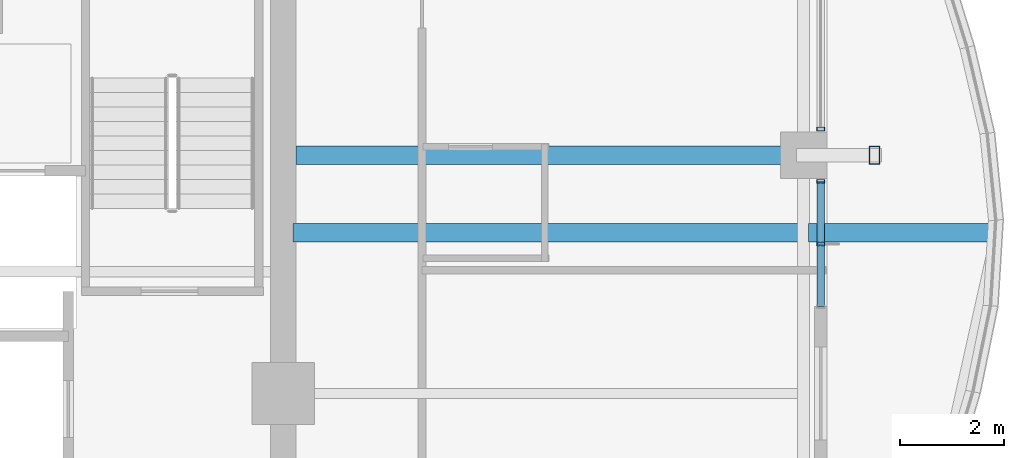
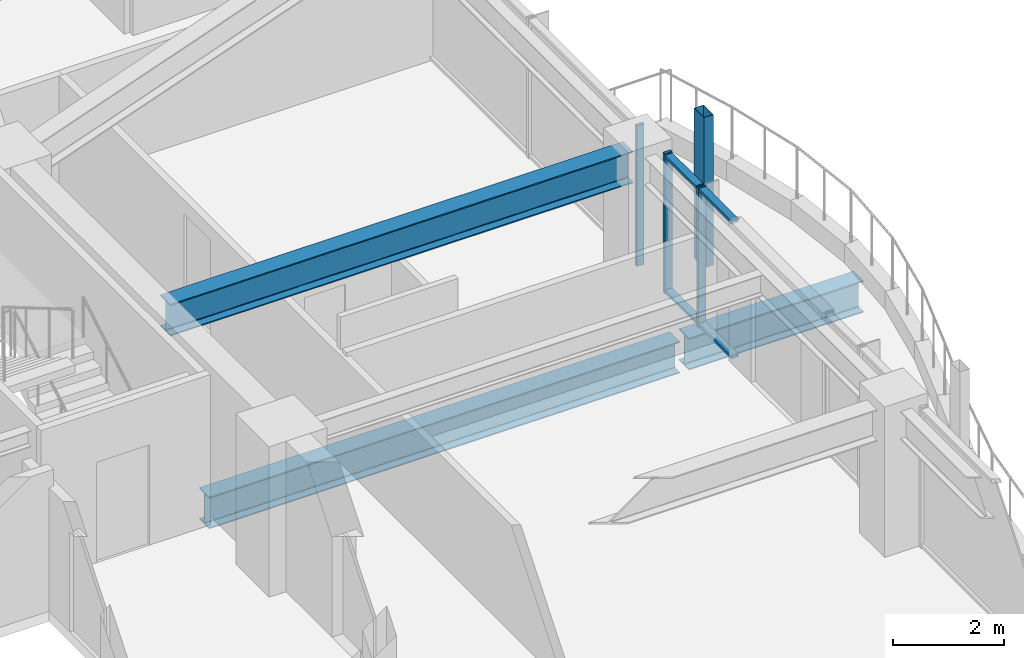
# One storey, part 15 of 35: 6 members, 3 beams, 2 elements without a shape of their own.
"""IFC4 building model written with IfcOpenShell, lengths in metres."""

from ifc_helpers import new_model, si_unit, direction, frame, origin, origin_2d, place, context, subcontext, project, spatial, hollow_rectangle, i_section, extrude, material, material_profile, profile_set, type_object, element, aggregate, save


model = new_model("IFC4")

# Units and contexts
model_context = context("Model", 3, precision=1e-05, world=origin(), true_north=direction((0.0, 1.0)))
body_context = subcontext(model_context, "Body", "Model", "MODEL_VIEW")
ifc_project = project(units=[si_unit("LENGTHUNIT", "METRE"), si_unit("AREAUNIT", "SQUARE_METRE"), si_unit("VOLUMEUNIT", "CUBIC_METRE"), si_unit("PLANEANGLEUNIT", "RADIAN"), si_unit("MASSUNIT", "GRAM", prefix="KILO")], contexts=[model_context])

# Site, building, storey
site_placement = place(None, origin())
site = spatial("IfcSite", under=ifc_project, at=site_placement, CompositionType="ELEMENT")
building_placement = place(site_placement, origin())
building = spatial("IfcBuilding", under=site, at=building_placement, Name="Kolvaren Belvedere", CompositionType="ELEMENT")
storey_placement = place(building_placement, frame((0.0, 0.0, 176.699951171875)))
storey = spatial("IfcBuildingStorey", under=building, at=storey_placement, Name="L51", CompositionType="ELEMENT", Elevation=176.699951171875)

# Beams
ifc_material_1 = material(Name="Structural steel ASTM A992 Grade 50", Category="steel")
ifc_material_profile_1 = material_profile(ifc_material_1, i_section(OverallWidth=0.35498046875, OverallDepth=0.696044921875, WebThickness=0.015380859375, FlangeThickness=0.02490234375, FilletRadius=0.02197265625, at=origin_2d()), Name="W27X146")
ifc_profile_set_1 = profile_set([ifc_material_profile_1], Name="Structural steel ASTM A992 Grade 50")
beam_type_1 = type_object("IfcBeamType", Name="BM-CANT-BAL", PredefinedType="BEAM", material=ifc_profile_set_1)
beam_1_placement = place(storey_placement, frame((20.044921875, 3.10009765625, -0.56787109375), z_axis=(1.0, 0.0, 0.0), x_axis=(0.0, 1.0, 0.0)))
element("IfcBeam", 1, at=beam_1_placement, inside=storey, type_object=beam_type_1, Name="L51 Planted Balcony Cantilever BAL-E-2", PredefinedType="BEAM", context=body_context, shape_type="SweptSolid", body=[
    extrude(i_section(OverallWidth=0.35498046875, OverallDepth=0.696044921875, WebThickness=0.015380859375, FlangeThickness=0.02490234375, FilletRadius=0.02197265625, at=origin_2d()), origin(), (0.0, 0.0, 1.0), 3.619140625),
])
ifc_material_2 = material(Name="Structural steel ASTM A992 Grade 50", Category="steel")
ifc_material_profile_2 = material_profile(ifc_material_2, i_section(OverallWidth=0.35498046875, OverallDepth=0.696044921875, WebThickness=0.015380859375, FlangeThickness=0.02490234375, FilletRadius=0.02197265625, at=origin_2d()), Name="W27X146")
ifc_profile_set_2 = profile_set([ifc_material_profile_2], Name="Structural steel ASTM A992 Grade 50")
beam_type_2 = type_object("IfcBeamType", Name="BM-GIRD-W27X146", PredefinedType="BEAM", material=ifc_profile_set_2)
beam_2_placement = place(storey_placement, frame((10.090087890625, 3.10009765625, -0.56787109375), z_axis=(1.0, 0.0, 0.0), x_axis=(0.0, 1.0, 0.0)))
element("IfcBeam", 2, at=beam_2_placement, inside=storey, type_object=beam_type_2, Name="L51 Balcony Interior Back-Span Girder BAL-E-2", PredefinedType="BEAM", context=body_context, shape_type="SweptSolid", body=[
    extrude(i_section(OverallWidth=0.35498046875, OverallDepth=0.696044921875, WebThickness=0.015380859375, FlangeThickness=0.02490234375, FilletRadius=0.02197265625, at=origin_2d()), origin(), (0.0, 0.0, 1.0), 9.764892578125),
])
beam_3_placement = place(storey_placement, frame((10.14990234375, 4.60009765625, 2.73193359375), z_axis=(1.0, 0.0, 0.0), x_axis=(0.0, 1.0, 0.0)))
element("IfcBeam", 3, at=beam_3_placement, inside=storey, type_object=beam_type_2, Name="L51 East Radial Girder P", PredefinedType="BEAM", context=body_context, shape_type="SweptSolid", body=[
    extrude(i_section(OverallWidth=0.35498046875, OverallDepth=0.696044921875, WebThickness=0.015380859375, FlangeThickness=0.02490234375, FilletRadius=0.02197265625, at=origin_2d()), origin(), (0.0, 0.0, 1.0), 9.59765625),
])

# Curtain wall, member
ifc_material_3 = material(Name="Anodised pale-metal aluminium AA 6063-T6", Category="aluminium")
curtain_wall_type = type_object("IfcCurtainWallType", Name="CW-Z5-HIGH", PredefinedType="NOTDEFINED", material=ifc_material_3)
curtain_wall_1_placement = place(storey_placement, origin())
curtain_wall_1 = element("IfcCurtainWall", 4, at=curtain_wall_1_placement, inside=storey, type_object=curtain_wall_type, Name="L51 Unitised Curtain Wall FCW-L51-E1-B1", PredefinedType="NOTDEFINED")
ifc_material_4 = material(Name="Anodised pale-metal aluminium AA 6063-T6", Category="aluminium")
ifc_material_profile_3 = material_profile(ifc_material_4, hollow_rectangle(XDim=0.070068359375, YDim=0.14990234375, WallThickness=0.004150390625, at=origin_2d()), Name="ALU-MUL-150X70")
ifc_profile_set_3 = profile_set([ifc_material_profile_3], Name="Anodised pale-metal aluminium AA 6063-T6")
member_type_1 = type_object("IfcMemberType", Name="CW-MUL-150", PredefinedType="MULLION", material=ifc_profile_set_3)
member_1_placement = place(storey_placement, frame((20.280029296875, 5.10498046875, 0.0), z_axis=(0.0, 0.0, 1.0), x_axis=(0.0, 1.0, 0.0)))
member_1 = element("IfcMember", 5, at=member_1_placement, type_object=member_type_1, Name="FCW-L51-E1-B1 Unitised Mullion 3", PredefinedType="MULLION", context=body_context, shape_type="SweptSolid", body=[
    extrude(hollow_rectangle(XDim=0.070068359375, YDim=0.14990234375, WallThickness=0.004150390625, at=origin_2d()), origin(), (0.0, 0.0, 1.0), 3.080078125),
])
aggregate(curtain_wall_1, [member_1])

# Curtain wall, members
curtain_wall_2_placement = place(storey_placement, origin())
curtain_wall_2 = element("IfcCurtainWall", 6, at=curtain_wall_2_placement, inside=storey, type_object=curtain_wall_type, Name="L51 Unitised Curtain Wall FCW-L51-E1-B2", PredefinedType="NOTDEFINED")
member_2_placement = place(storey_placement, frame((20.280029296875, 4.094970703125, 0.0), z_axis=(0.0, 0.0, 1.0), x_axis=(0.0, 1.0, 0.0)))
member_2 = element("IfcMember", 7, at=member_2_placement, type_object=member_type_1, Name="FCW-L51-E1-B2 Unitised Mullion 1", PredefinedType="MULLION", context=body_context, shape_type="SweptSolid", body=[
    extrude(hollow_rectangle(XDim=0.070068359375, YDim=0.14990234375, WallThickness=0.004150390625, at=origin_2d()), origin(), (0.0, 0.0, 1.0), 3.080078125),
])
member_3_placement = place(storey_placement, frame((20.280029296875, 2.887451171875, 0.0), z_axis=(0.0, 0.0, 1.0), x_axis=(0.0, 1.0, 0.0)))
member_3 = element("IfcMember", 8, at=member_3_placement, type_object=member_type_1, Name="FCW-L51-E1-B2 Unitised Mullion 2", PredefinedType="MULLION", context=body_context, shape_type="SweptSolid", body=[
    extrude(hollow_rectangle(XDim=0.070068359375, YDim=0.14990234375, WallThickness=0.004150390625, at=origin_2d()), origin(), (0.0, 0.0, 1.0), 3.080078125),
])
ifc_material_5 = material(Name="Anodised pale-metal aluminium AA 6063-T6", Category="aluminium")
ifc_material_profile_4 = material_profile(ifc_material_5, hollow_rectangle(XDim=0.06494140625, YDim=0.14990234375, WallThickness=0.00390625, at=origin_2d()), Name="ALU-TRN-150X65")
ifc_profile_set_4 = profile_set([ifc_material_profile_4], Name="Anodised pale-metal aluminium AA 6063-T6")
member_type_2 = type_object("IfcMemberType", Name="CW-TRN-150", PredefinedType="USERDEFINED", material=ifc_profile_set_4)
member_4_placement = place(storey_placement, frame((20.280029296875, 4.094970703125, 0.06005859375), z_axis=(0.0, -1.0, 0.0), x_axis=(0.0, 0.0, 1.0)))
member_4 = element("IfcMember", 9, at=member_4_placement, type_object=member_type_2, Name="FCW-L51-E1-B2 Sill Transom", ObjectType="TRANSOM", PredefinedType="USERDEFINED", context=body_context, shape_type="SweptSolid", body=[
    extrude(hollow_rectangle(XDim=0.06494140625, YDim=0.14990234375, WallThickness=0.00390625, at=origin_2d()), origin(), (0.0, 0.0, 1.0), 2.4150390625),
])
member_5_placement = place(storey_placement, frame((20.280029296875, 4.094970703125, 3.02001953125), z_axis=(0.0, -1.0, 0.0), x_axis=(0.0, 0.0, 1.0)))
member_5 = element("IfcMember", 10, at=member_5_placement, type_object=member_type_2, Name="FCW-L51-E1-B2 Head Transom", ObjectType="TRANSOM", PredefinedType="USERDEFINED", context=body_context, shape_type="SweptSolid", body=[
    extrude(hollow_rectangle(XDim=0.06494140625, YDim=0.14990234375, WallThickness=0.00390625, at=origin_2d()), origin(), (0.0, 0.0, 1.0), 2.4150390625),
])
aggregate(curtain_wall_2, [member_2, member_3, member_4, member_5])

# Member
ifc_material_6 = material(Name="Anodised pale-metal aluminium AA 6063-T6", Category="aluminium")
ifc_material_profile_5 = material_profile(ifc_material_6, hollow_rectangle(XDim=0.199951171875, YDim=0.35009765625, WallThickness=0.007568359375, at=origin_2d()), Name="ALU-PF-350X200")
ifc_profile_set_5 = profile_set([ifc_material_profile_5], Name="Anodised pale-metal aluminium AA 6063-T6")
member_type_3 = type_object("IfcMemberType", Name="PF-FRAME-350", PredefinedType="USERDEFINED", material=ifc_profile_set_5)
member_6_placement = place(storey_placement, frame((21.320068359375, 4.60009765625, 0.0), z_axis=(0.0, 0.0, 1.0), x_axis=(1.0, 0.0, 0.0)))
element("IfcMember", 11, at=member_6_placement, inside=storey, type_object=member_type_3, Name="L51 Outboard Picture-Frame Vertical E1", ObjectType="PICTURE FRAME FIN", PredefinedType="USERDEFINED", context=body_context, shape_type="SweptSolid", body=[
    extrude(hollow_rectangle(XDim=0.199951171875, YDim=0.35009765625, WallThickness=0.007568359375, at=origin_2d()), origin(), (0.0, 0.0, 1.0), 3.300048828125),
])

save(model, "model.ifc")
